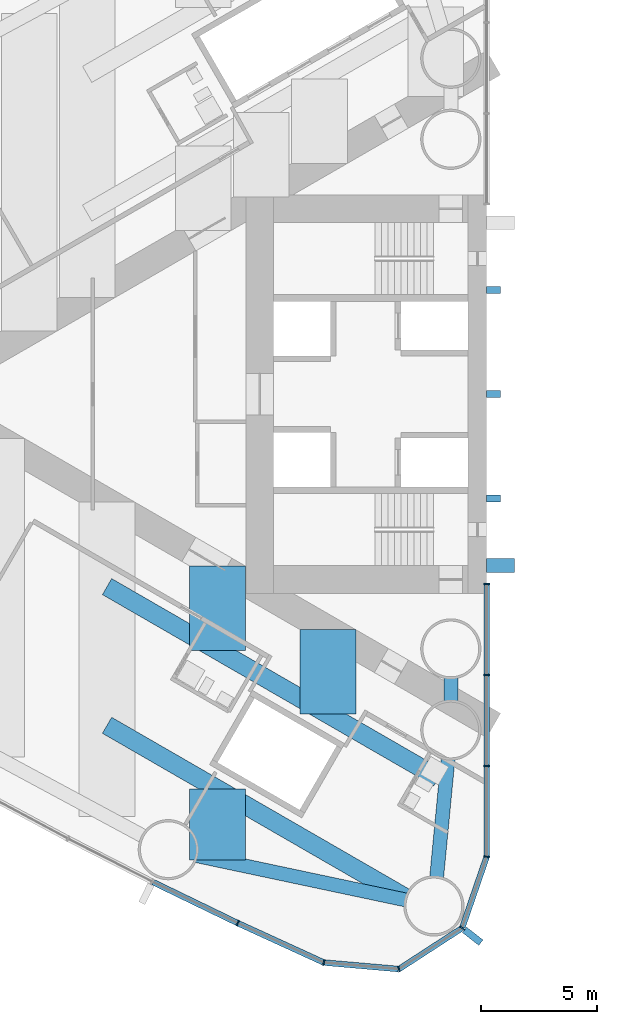
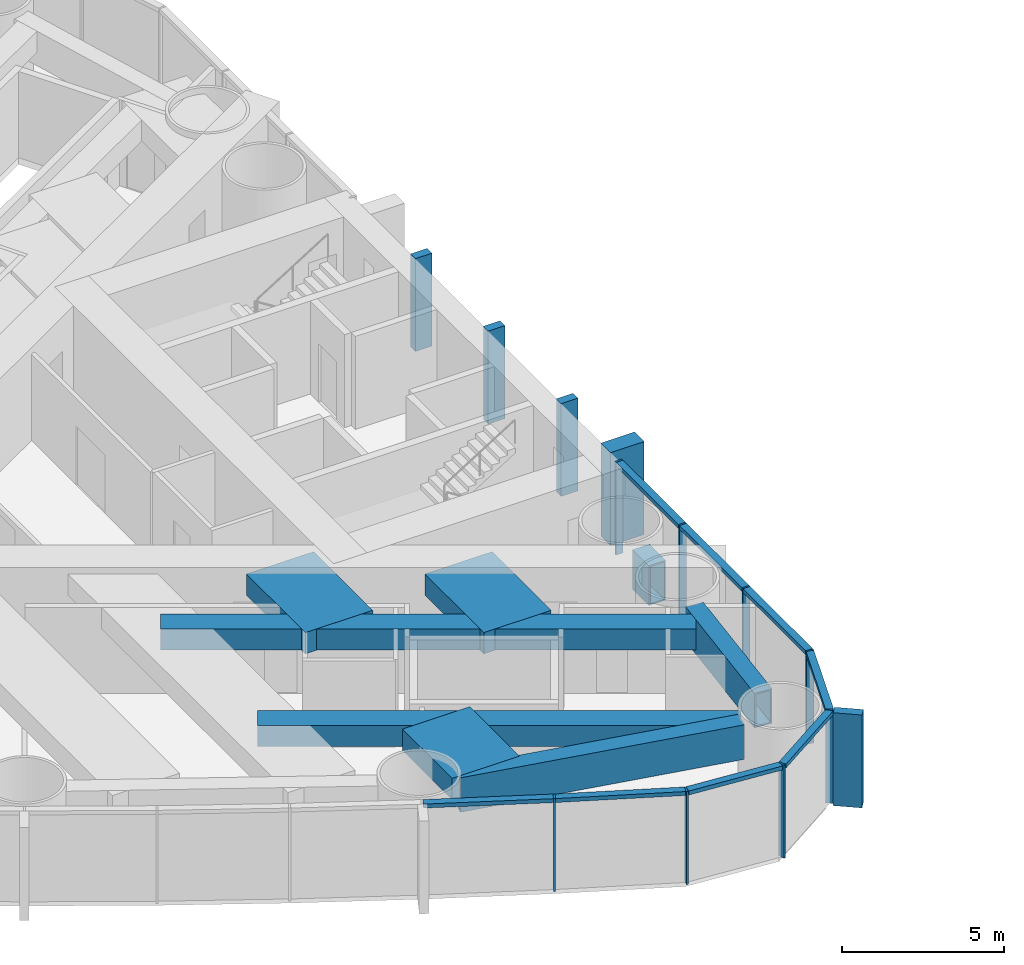
# One storey, part 3 of 18: 21 members, 8 beams, 1 element without a shape of its own.
"""IFC4 building model written with IfcOpenShell, lengths in metres."""

from ifc_helpers import new_model, si_unit, direction, frame, origin, origin_2d, place, context, subcontext, project, spatial, rectangle, hollow_rectangle, extrude, material, material_profile, profile_set, type_object, element, aggregate, save


model = new_model("IFC4")

# Units and contexts
model_context = context("Model", 3, precision=1e-05, world=origin(), true_north=direction((0.0, 1.0)))
body_context = subcontext(model_context, "Body", "Model", "MODEL_VIEW")
ifc_project = project(units=[si_unit("LENGTHUNIT", "METRE"), si_unit("AREAUNIT", "SQUARE_METRE"), si_unit("VOLUMEUNIT", "CUBIC_METRE"), si_unit("PLANEANGLEUNIT", "RADIAN"), si_unit("MASSUNIT", "GRAM", prefix="KILO")], contexts=[model_context])

# Site, building, storey
site_placement = place(None, origin())
site = spatial("IfcSite", under=ifc_project, at=site_placement, CompositionType="ELEMENT")
building_placement = place(site_placement, origin())
building = spatial("IfcBuilding", under=site, at=building_placement, Name="Lancet Gate Hotel", CompositionType="ELEMENT")
storey_placement = place(building_placement, frame((0.0, 0.0, 139.60009765625)))
storey = spatial("IfcBuildingStorey", under=building, at=storey_placement, Name="L37", CompositionType="ELEMENT", Elevation=139.60009765625)

# Curtain wall, members
ifc_material_1 = material(Name="Aluminium curtain wall", Category="aluminium")
curtain_wall_type = type_object("IfcCurtainWallType", Name="Tower unitised curtain wall", PredefinedType="USERDEFINED", material=ifc_material_1)
curtain_wall_placement = place(storey_placement, origin())
curtain_wall = element("IfcCurtainWall", 1, at=curtain_wall_placement, inside=storey, type_object=curtain_wall_type, Name="T1 L37 curtain wall 1", ObjectType="UNITISED CURTAIN WALL", PredefinedType="USERDEFINED")
ifc_material_2 = material(Name="Aluminium mullion", Category="aluminium")
ifc_material_profile_1 = material_profile(ifc_material_2, rectangle(XDim=0.06494140625, YDim=0.25, at=origin_2d()), Name="MULLION 65x250")
ifc_profile_set_1 = profile_set([ifc_material_profile_1], Name="Aluminium mullion")
member_type_1 = type_object("IfcMemberType", Name="Aluminium mullion 65x250", PredefinedType="MULLION", material=ifc_profile_set_1)
member_1_placement = place(storey_placement, frame((-38.25244140625, -22.83642578125, 0.0), z_axis=(0.0, 0.0, 1.0), x_axis=(0.904719609771, -0.426007544178, 0.0)))
member_1 = element("IfcMember", 2, at=member_1_placement, type_object=member_type_1, Name="T1 L37 curtain wall 1 mullion 29", PredefinedType="MULLION", context=body_context, shape_type="SweptSolid", body=[
    extrude(rectangle(XDim=0.06494140625, YDim=0.25, at=origin_2d()), origin(), (0.0, 0.0, 1.0), 3.5),
])
member_2_placement = place(storey_placement, frame((-34.5322265625, -24.53955078125, 0.0), z_axis=(0.0, 0.0, 1.0), x_axis=(0.961653318232, -0.27426792655, 0.0)))
member_2 = element("IfcMember", 3, at=member_2_placement, type_object=member_type_1, Name="T1 L37 curtain wall 1 mullion 30", PredefinedType="MULLION", context=body_context, shape_type="SweptSolid", body=[
    extrude(rectangle(XDim=0.06494140625, YDim=0.25, at=origin_2d()), origin(), (0.0, 0.0, 1.0), 3.5),
])
member_3_placement = place(storey_placement, frame((-31.289306640625, -24.822265625, 0.0), z_axis=(0.0, 0.0, 1.0), x_axis=(0.970242142288, 0.242136707934, 0.0)))
member_3 = element("IfcMember", 4, at=member_3_placement, type_object=member_type_1, Name="T1 L37 curtain wall 1 mullion 31", PredefinedType="MULLION", context=body_context, shape_type="SweptSolid", body=[
    extrude(rectangle(XDim=0.06494140625, YDim=0.25, at=origin_2d()), origin(), (0.0, 0.0, 1.0), 3.5),
])
member_4_placement = place(storey_placement, frame((-28.5595703125, -23.049072265625, 0.0), z_axis=(0.0, 0.0, 1.0), x_axis=(0.615574240878, 0.788078900851, 0.0)))
member_4 = element("IfcMember", 5, at=member_4_placement, type_object=member_type_1, Name="T1 L37 curtain wall 1 mullion 32", PredefinedType="MULLION", context=body_context, shape_type="SweptSolid", body=[
    extrude(rectangle(XDim=0.06494140625, YDim=0.25, at=origin_2d()), origin(), (0.0, 0.0, 1.0), 3.5),
])
member_5_placement = place(storey_placement, frame((-27.5, -19.97119140625, 0.0), z_axis=(0.0, 0.0, 1.0), x_axis=(0.149634446211, 0.988741388082, 0.0)))
member_5 = element("IfcMember", 6, at=member_5_placement, type_object=member_type_1, Name="T1 L37 curtain wall 1 mullion 33", PredefinedType="MULLION", context=body_context, shape_type="SweptSolid", body=[
    extrude(rectangle(XDim=0.06494140625, YDim=0.25, at=origin_2d()), origin(), (0.0, 0.0, 1.0), 3.5),
])
member_6_placement = place(storey_placement, frame((-27.5, -16.04736328125, 0.0), z_axis=(0.0, 0.0, 1.0), x_axis=(0.0, 1.0, 0.0)))
member_6 = element("IfcMember", 7, at=member_6_placement, type_object=member_type_1, Name="T1 L37 curtain wall 1 mullion 34", PredefinedType="MULLION", context=body_context, shape_type="SweptSolid", body=[
    extrude(rectangle(XDim=0.06494140625, YDim=0.25, at=origin_2d()), origin(), (0.0, 0.0, 1.0), 3.5),
])
member_7_placement = place(storey_placement, frame((-27.5, -12.123779296875, 0.0), z_axis=(0.0, 0.0, 1.0), x_axis=(0.0, 1.0, 0.0)))
member_7 = element("IfcMember", 8, at=member_7_placement, type_object=member_type_1, Name="T1 L37 curtain wall 1 mullion 35", PredefinedType="MULLION", context=body_context, shape_type="SweptSolid", body=[
    extrude(rectangle(XDim=0.06494140625, YDim=0.25, at=origin_2d()), origin(), (0.0, 0.0, 1.0), 3.5),
])
member_8_placement = place(storey_placement, frame((-27.5, -8.199951171875, 0.0), z_axis=(0.0, 0.0, 1.0), x_axis=(0.0, 1.0, 0.0)))
member_8 = element("IfcMember", 9, at=member_8_placement, type_object=member_type_1, Name="T1 L37 curtain wall 1 mullion 36", PredefinedType="MULLION", context=body_context, shape_type="SweptSolid", body=[
    extrude(rectangle(XDim=0.06494140625, YDim=0.25, at=origin_2d()), origin(), (0.0, 0.0, 1.0), 3.5),
])
ifc_material_3 = material(Name="Aluminium transom", Category="aluminium")
ifc_material_profile_2 = material_profile(ifc_material_3, rectangle(XDim=0.25, YDim=0.14990234375, at=origin_2d()), Name="TRANSOM 250x150")
ifc_profile_set_2 = profile_set([ifc_material_profile_2], Name="Aluminium transom")
member_type_2 = type_object("IfcMemberType", Name="Aluminium transom 250x150", PredefinedType="USERDEFINED", material=ifc_profile_set_2)
member_9_placement = place(storey_placement, frame((-41.906005859375, -21.067626953125, 3.4248046875), z_axis=(0.900065677074, -0.435754262117, 0.0), x_axis=(0.435754262117, 0.900065677074, 0.0)))
member_9 = element("IfcMember", 10, at=member_9_placement, type_object=member_type_2, Name="T1 L37 curtain wall 1 transom 28", ObjectType="TRANSOM", PredefinedType="USERDEFINED", context=body_context, shape_type="SweptSolid", body=[
    extrude(rectangle(XDim=0.25, YDim=0.14990234375, at=origin_2d()), origin(), (0.0, 0.0, 1.0), 4.026611328125),
])
member_10_placement = place(storey_placement, frame((-38.222900390625, -22.849853515625, 3.4248046875), z_axis=(0.909252284196, -0.416245460857, 0.0), x_axis=(0.416245460857, 0.909252284196, 0.0)))
member_10 = element("IfcMember", 11, at=member_10_placement, type_object=member_type_2, Name="T1 L37 curtain wall 1 transom 29", ObjectType="TRANSOM", PredefinedType="USERDEFINED", context=body_context, shape_type="SweptSolid", body=[
    extrude(rectangle(XDim=0.25, YDim=0.14990234375, at=origin_2d()), origin(), (0.0, 0.0, 1.0), 4.026611328125),
])
member_11_placement = place(storey_placement, frame((-34.499755859375, -24.542236328125, 3.4248046875), z_axis=(0.996213545522, -0.086940046686, 0.0), x_axis=(0.086940046686, 0.996213545522, 0.0)))
member_11 = element("IfcMember", 12, at=member_11_placement, type_object=member_type_2, Name="T1 L37 curtain wall 1 transom 30", ObjectType="TRANSOM", PredefinedType="USERDEFINED", context=body_context, shape_type="SweptSolid", body=[
    extrude(rectangle(XDim=0.25, YDim=0.14990234375, at=origin_2d()), origin(), (0.0, 0.0, 1.0), 3.18994140625),
])
member_12_placement = place(storey_placement, frame((-31.261962890625, -24.8046875, 3.4248046875), z_axis=(0.838550259452, 0.544824249068, 0.0), x_axis=(-0.544824249068, 0.838550259452, 0.0)))
member_12 = element("IfcMember", 13, at=member_12_placement, type_object=member_type_2, Name="T1 L37 curtain wall 1 transom 31", ObjectType="TRANSOM", PredefinedType="USERDEFINED", context=body_context, shape_type="SweptSolid", body=[
    extrude(rectangle(XDim=0.25, YDim=0.14990234375, at=origin_2d()), origin(), (0.0, 0.0, 1.0), 3.190185546875),
])
member_13_placement = place(storey_placement, frame((-28.549072265625, -23.018310546875, 3.4248046875), z_axis=(0.32553312754, 0.945530635609, 0.0), x_axis=(-0.945530635609, 0.32553312754, 0.0)))
member_13 = element("IfcMember", 14, at=member_13_placement, type_object=member_type_2, Name="T1 L37 curtain wall 1 transom 32", ObjectType="TRANSOM", PredefinedType="USERDEFINED", context=body_context, shape_type="SweptSolid", body=[
    extrude(rectangle(XDim=0.25, YDim=0.14990234375, at=origin_2d()), origin(), (0.0, 0.0, 1.0), 3.1904296875),
])
member_14_placement = place(storey_placement, frame((-27.5, -19.9384765625, 3.4248046875), z_axis=(0.0, 1.0, 0.0), x_axis=(-1.0, 0.0, 0.0)))
member_14 = element("IfcMember", 15, at=member_14_placement, type_object=member_type_2, Name="T1 L37 curtain wall 1 transom 33", ObjectType="TRANSOM", PredefinedType="USERDEFINED", context=body_context, shape_type="SweptSolid", body=[
    extrude(rectangle(XDim=0.25, YDim=0.14990234375, at=origin_2d()), origin(), (0.0, 0.0, 1.0), 3.858642578125),
])
member_15_placement = place(storey_placement, frame((-27.5, -16.014892578125, 3.4248046875), z_axis=(0.0, 1.0, 0.0), x_axis=(-1.0, 0.0, 0.0)))
member_15 = element("IfcMember", 16, at=member_15_placement, type_object=member_type_2, Name="T1 L37 curtain wall 1 transom 34", ObjectType="TRANSOM", PredefinedType="USERDEFINED", context=body_context, shape_type="SweptSolid", body=[
    extrude(rectangle(XDim=0.25, YDim=0.14990234375, at=origin_2d()), origin(), (0.0, 0.0, 1.0), 3.858642578125),
])
member_16_placement = place(storey_placement, frame((-27.5, -12.09130859375, 3.4248046875), z_axis=(0.0, 1.0, 0.0), x_axis=(-1.0, 0.0, 0.0)))
member_16 = element("IfcMember", 17, at=member_16_placement, type_object=member_type_2, Name="T1 L37 curtain wall 1 transom 35", ObjectType="TRANSOM", PredefinedType="USERDEFINED", context=body_context, shape_type="SweptSolid", body=[
    extrude(rectangle(XDim=0.25, YDim=0.14990234375, at=origin_2d()), origin(), (0.0, 0.0, 1.0), 3.85888671875),
])

# Beams
ifc_material_4 = material(Name="Steel S460QL", Category="steel")
ifc_material_profile_3 = material_profile(ifc_material_4, hollow_rectangle(XDim=0.60009765625, YDim=1.300048828125, WallThickness=0.050048828125, at=origin_2d()), Name="BOX 1300x600x50")
ifc_profile_set_3 = profile_set([ifc_material_profile_3], Name="Steel S460QL")
beam_type_1 = type_object("IfcBeamType", Name="Edge beam BOX 1300x600x50", PredefinedType="SPANDREL", material=ifc_profile_set_3)
beam_1_placement = place(storey_placement, frame((-40.022216796875, -19.9248046875, 2.599853515625), z_axis=(0.978280040278, -0.207287632996, 0.0), x_axis=(0.207287632996, 0.978280040278, 0.0)))
element("IfcBeam", 18, at=beam_1_placement, inside=storey, type_object=beam_type_1, Name="T1 edge beam EB2 L37", PredefinedType="SPANDREL", context=body_context, shape_type="SweptSolid", body=[
    extrude(hollow_rectangle(XDim=0.60009765625, YDim=1.300048828125, WallThickness=0.050048828125, at=origin_2d()), origin(), (0.0, 0.0, 1.0), 9.218505859375),
])
beam_2_placement = place(storey_placement, frame((-29.169677734375, -15.744140625, 2.599853515625), z_axis=(-0.095846613906, -0.995396115425, 0.0), x_axis=(0.995396115425, -0.095846613906, 0.0)))
element("IfcBeam", 19, at=beam_2_placement, inside=storey, type_object=beam_type_1, Name="T1 edge beam EB2 L37", PredefinedType="SPANDREL", context=body_context, shape_type="SweptSolid", body=[
    extrude(hollow_rectangle(XDim=0.60009765625, YDim=1.300048828125, WallThickness=0.050048828125, at=origin_2d()), origin(), (0.0, 0.0, 1.0), 5.130126953125),
])

# Member
ifc_material_5 = material(Name="Concrete C60/75", Category="concrete")
ifc_material_profile_4 = material_profile(ifc_material_5, rectangle(XDim=0.60009765625, YDim=1.199951171875, at=origin_2d()), Name="FIN 600x1200")
ifc_profile_set_4 = profile_set([ifc_material_profile_4], Name="Concrete C60/75")
member_type_3 = type_object("IfcMemberType", Name="Exposed concrete buttress pilaster 600x1200", PredefinedType="USERDEFINED", material=ifc_profile_set_4)
member_17_placement = place(storey_placement, frame((-26.909912109375, -7.39990234375, 0.0), z_axis=(0.0, 0.0, 1.0), x_axis=(0.0, 1.0, 0.0)))
element("IfcMember", 20, at=member_17_placement, inside=storey, type_object=member_type_3, Name="T1 buttress pilaster N L37", ObjectType="FIN", PredefinedType="USERDEFINED", context=body_context, shape_type="SweptSolid", body=[
    extrude(rectangle(XDim=0.60009765625, YDim=1.199951171875, at=origin_2d()), origin(), (0.0, 0.0, 1.0), 3.5),
])

ifc_material_6 = material(Name="Precast concrete C50/60", Category="concrete")
ifc_material_profile_5 = material_profile(ifc_material_6, rectangle(XDim=0.300048828125, YDim=0.89990234375, at=origin_2d()), Name="FIN 300x900")
ifc_profile_set_5 = profile_set([ifc_material_profile_5], Name="Precast concrete C50/60")
member_type_4 = type_object("IfcMemberType", Name="Exposed concrete fin 300x900", PredefinedType="USERDEFINED", material=ifc_profile_set_5)
member_18_placement = place(storey_placement, frame((-28.1064453125, -23.40283203125, 0.0), z_axis=(0.0, 0.0, 1.0), x_axis=(0.615574240878, 0.788078900851, 0.0)))
member_18 = element("IfcMember", 21, at=member_18_placement, type_object=member_type_4, Name="T1 L37 curtain wall 1 fin 32", ObjectType="FIN", PredefinedType="USERDEFINED", context=body_context, shape_type="SweptSolid", body=[
    extrude(rectangle(XDim=0.300048828125, YDim=0.89990234375, at=origin_2d()), origin(), (0.0, 0.0, 1.0), 3.5),
])

aggregate(curtain_wall, [member_1, member_2, member_3, member_4, member_18, member_5, member_6, member_7, member_8, member_9, member_10, member_11, member_12, member_13, member_14, member_15, member_16])

# Members
ifc_material_7 = material(Name="Concrete C60/75", Category="concrete")
ifc_material_profile_6 = material_profile(ifc_material_7, rectangle(XDim=0.300048828125, YDim=0.60009765625, at=origin_2d()), Name="FIN 300x600")
ifc_profile_set_6 = profile_set([ifc_material_profile_6], Name="Concrete C60/75")
member_type_5 = type_object("IfcMemberType", Name="Exposed concrete rib 300x600", PredefinedType="USERDEFINED", material=ifc_profile_set_6)
for number, where, z_axis, x_axis, name in (
    (22, (-27.2099609375, 4.5, 0.0), (0.0, 0.0, 1.0), (0.0, 1.0, 0.0), "T1 core rib 1 L37"),
    (23, (-27.2099609375, 0.0, 0.0), (0.0, 0.0, 1.0), (0.0, 1.0, 0.0), "T1 core rib 2 L37"),
    (24, (-27.2099609375, -4.5, 0.0), (0.0, 0.0, 1.0), (0.0, 1.0, 0.0), "T1 core rib 3 L37"),
):
    element("IfcMember", number, at=place(storey_placement, frame(where, z_axis=z_axis, x_axis=x_axis)), inside=storey, type_object=member_type_5, Name=name, ObjectType="FIN", PredefinedType="USERDEFINED", context=body_context, shape_type="SweptSolid", body=[
        extrude(rectangle(XDim=0.300048828125, YDim=0.60009765625, at=origin_2d()), origin(), (0.0, 0.0, 1.0), 3.5),
    ])

# Beams
ifc_material_8 = material(Name="Concrete C50/60", Category="concrete")
ifc_material_profile_7 = material_profile(ifc_material_8, rectangle(XDim=2.39990234375, YDim=0.800048828125, at=origin_2d()), Name="RC 2400x800")
ifc_profile_set_7 = profile_set([ifc_material_profile_7], Name="Concrete C50/60")
beam_type_2 = type_object("IfcBeamType", Name="Floor beam RC 2400x800", PredefinedType="BEAM", material=ifc_profile_set_7)
beam_3_placement = place(storey_placement, frame((-34.353515625, -10.169921875, 2.849853515625), z_axis=(0.0, -1.0, 0.0), x_axis=(1.0, 0.0, 0.0)))
element("IfcBeam", 25, at=beam_3_placement, inside=storey, type_object=beam_type_2, Name="T1 floor beam F03NA L37", PredefinedType="BEAM", context=body_context, shape_type="SweptSolid", body=[
    extrude(rectangle(XDim=2.39990234375, YDim=0.800048828125, at=origin_2d()), origin(), (0.0, 0.0, 1.0), 3.645751953125),
])
beam_4_placement = place(storey_placement, frame((-39.122314453125, -7.41650390625, 2.849853515625), z_axis=(0.0, -1.0, 0.0), x_axis=(1.0, 0.0, 0.0)))
element("IfcBeam", 26, at=beam_4_placement, inside=storey, type_object=beam_type_2, Name="T1 floor beam F06NA L37", PredefinedType="BEAM", context=body_context, shape_type="SweptSolid", body=[
    extrude(rectangle(XDim=2.39990234375, YDim=0.800048828125, at=origin_2d()), origin(), (0.0, 0.0, 1.0), 3.64599609375),
])
beam_5_placement = place(storey_placement, frame((-39.122314453125, -17.0498046875, 2.849853515625), z_axis=(0.0, -1.0, 0.0), x_axis=(1.0, 0.0, 0.0)))
element("IfcBeam", 27, at=beam_5_placement, inside=storey, type_object=beam_type_2, Name="T1 floor beam F06NB L37", PredefinedType="BEAM", context=body_context, shape_type="SweptSolid", body=[
    extrude(rectangle(XDim=2.39990234375, YDim=0.800048828125, at=origin_2d()), origin(), (0.0, 0.0, 1.0), 3.065673828125),
])
ifc_material_9 = material(Name="Steel S460QL", Category="steel")
ifc_material_profile_8 = material_profile(ifc_material_9, hollow_rectangle(XDim=0.60009765625, YDim=1.5, WallThickness=0.050048828125, at=origin_2d()), Name="BOX 1500x600x50")
ifc_profile_set_8 = profile_set([ifc_material_profile_8], Name="Steel S460QL")
beam_type_3 = type_object("IfcBeamType", Name="Inner-face link beam BOX 1500x600x50", PredefinedType="BEAM", material=ifc_profile_set_8)
beam_6_placement = place(storey_placement, frame((-29.050048828125, -12.25, 2.5), z_axis=(0.0, -1.0, 0.0), x_axis=(1.0, 0.0, 0.0)))
element("IfcBeam", 28, at=beam_6_placement, inside=storey, type_object=beam_type_3, Name="T1 inner-face link beam LK1 L37", PredefinedType="BEAM", context=body_context, shape_type="SweptSolid", body=[
    extrude(hollow_rectangle(XDim=0.60009765625, YDim=1.5, WallThickness=0.050048828125, at=origin_2d()), origin(), (0.0, 0.0, 1.0), 1.0),
])
ifc_material_10 = material(Name="Steel S460QL", Category="steel")
ifc_material_profile_9 = material_profile(ifc_material_10, hollow_rectangle(XDim=0.800048828125, YDim=0.800048828125, WallThickness=0.080078125, at=origin_2d()), Name="BOX 800x800x80")
ifc_profile_set_9 = profile_set([ifc_material_profile_9], Name="Steel S460QL")
beam_type_4 = type_object("IfcBeamType", Name="Trimmer beam BOX 800x800x80", PredefinedType="BEAM", material=ifc_profile_set_9)
beam_7_placement = place(storey_placement, frame((-29.58447265625, -16.56884765625, 2.849853515625), z_axis=(-0.866040141834, 0.49997447208, 0.0), x_axis=(-0.49997447208, -0.866040141834, 0.0)))
element("IfcBeam", 29, at=beam_7_placement, inside=storey, type_object=beam_type_4, Name="T1 trimmer beam TR01N L37", PredefinedType="BEAM", context=body_context, shape_type="SweptSolid", body=[
    extrude(hollow_rectangle(XDim=0.800048828125, YDim=0.800048828125, WallThickness=0.080078125, at=origin_2d()), origin(), (0.0, 0.0, 1.0), 16.519775390625),
])
beam_8_placement = place(storey_placement, frame((-30.982421875, -21.7490234375, 2.849853515625), z_axis=(-0.866042392862, 0.4999705729, 0.0), x_axis=(-0.4999705729, -0.866042392862, 0.0)))
element("IfcBeam", 30, at=beam_8_placement, inside=storey, type_object=beam_type_4, Name="T1 trimmer beam TR03N L37", PredefinedType="BEAM", context=body_context, shape_type="SweptSolid", body=[
    extrude(hollow_rectangle(XDim=0.800048828125, YDim=0.800048828125, WallThickness=0.080078125, at=origin_2d()), origin(), (0.0, 0.0, 1.0), 14.90576171875),
])

save(model, "model.ifc")
